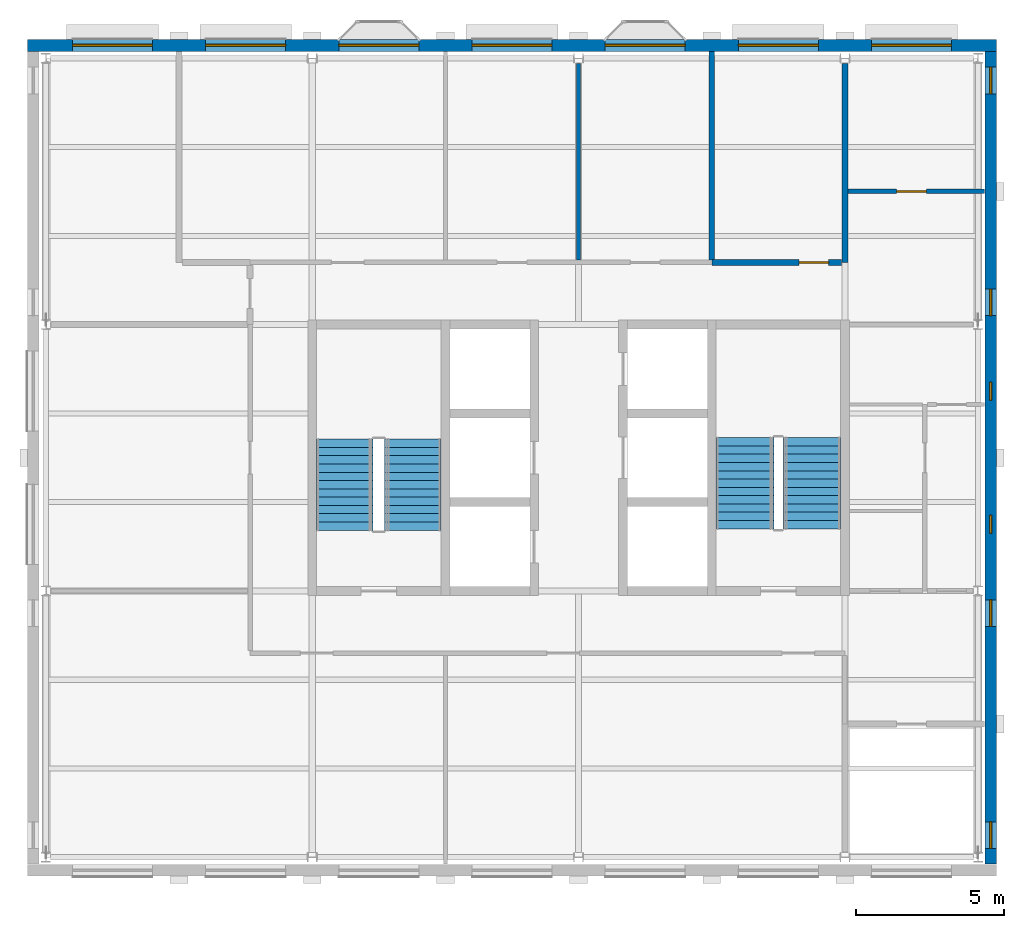
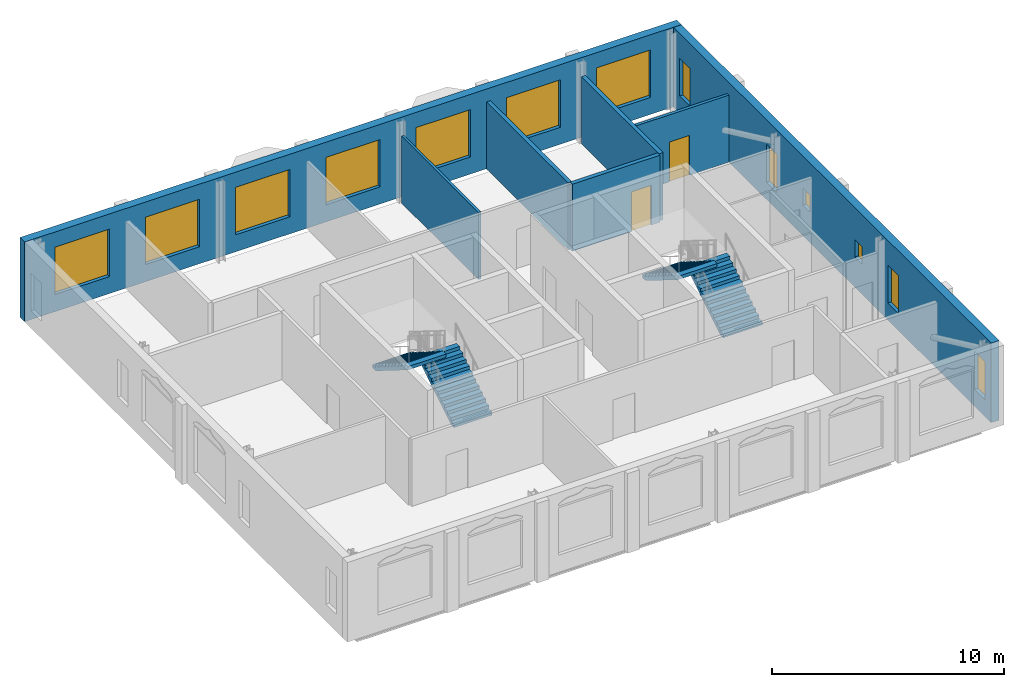
# One storey, part 5 of 9: 13 windows, 7 walls, 4 stair flights, 2 doors, 15 openings, 2 elements without a shape of their own.
"""IFC4 building model written with IfcOpenShell, lengths in metres."""

from ifc_helpers import new_model, si_unit, direction, frame, frame_2d, origin, place, context, subcontext, project, spatial, polyline, rectangle, outline, extrude, material, layer, layer_set, type_object, element, fill, aggregate, save


model = new_model("IFC4")

# Units and contexts
model_context = context("Model", 3, precision=1e-05, world=origin(), true_north=direction((0.0, 1.0)))
body_context = subcontext(model_context, "Body", "Model", "MODEL_VIEW")
ifc_project = project(units=[si_unit("LENGTHUNIT", "METRE"), si_unit("AREAUNIT", "SQUARE_METRE"), si_unit("VOLUMEUNIT", "CUBIC_METRE"), si_unit("PLANEANGLEUNIT", "RADIAN"), si_unit("MASSUNIT", "GRAM", prefix="KILO")], contexts=[model_context])

# Site, building, storey
site_placement = place(None, origin())
site = spatial("IfcSite", under=ifc_project, at=site_placement, CompositionType="ELEMENT")
building_placement = place(site_placement, origin())
building = spatial("IfcBuilding", under=site, at=building_placement, Name="Hortulan Conservatory and Botanical Research Centre", CompositionType="ELEMENT")
storey_placement = place(building_placement, frame((0.0, 0.0, 36.0)))
storey = spatial("IfcBuildingStorey", under=building, at=storey_placement, Name="L08", CompositionType="ELEMENT", Elevation=36.0)

# Walls
ifc_material_1 = material(Name="Fire-rated plasterboard on steel studs", Category="steel")
ifc_layer_1 = layer(ifc_material_1, 0.199951171875)
ifc_layer_set_1 = layer_set([ifc_layer_1], Name="Compartment Partition 200")
wall_type_1 = type_object("IfcWallType", Name="Compartment Partition 200", PredefinedType="PARTITIONING", material=ifc_layer_set_1)
wall_1_placement = place(storey_placement, frame((22.5, 20.18505859375, 0.0), z_axis=(0.0, 0.0, 1.0), x_axis=(0.0, 1.0, 0.0)))
element("IfcWall", 1, at=wall_1_placement, inside=storey, type_object=wall_type_1, Name="Store wall", PredefinedType="PARTITIONING", context=body_context, shape_type="SweptSolid", body=[
    extrude(rectangle(XDim=7.041015625, YDim=0.199951171875, at=frame_2d((3.5205078125, 0.0))), origin(), (0.0, 0.0, 1.0), 3.537109375),
])
wall_2_placement = place(storey_placement, frame((27.0, 20.10009765625, 0.0), z_axis=(0.0, 0.0, 1.0), x_axis=(0.0, 1.0, 0.0)))
element("IfcWall", 2, at=wall_2_placement, inside=storey, type_object=wall_type_1, Name="Store wall", PredefinedType="PARTITIONING", context=body_context, shape_type="SweptSolid", body=[
    extrude(rectangle(XDim=6.726318359375, YDim=0.199951171875, at=frame_2d((3.36328125, 0.0))), origin(), (0.0, 0.0, 1.0), 3.537109375),
])

# Wall, opening, door
wall_3_placement = place(storey_placement, frame((22.510009765625, 20.10009765625, 0.0), z_axis=(0.0, 0.0, 1.0), x_axis=(1.0, 0.0, 0.0)))
wall_3 = element("IfcWall", 3, at=wall_3_placement, inside=storey, type_object=wall_type_1, Name="Store wall", PredefinedType="PARTITIONING", context=body_context, shape_type="SweptSolid", body=[
    extrude(rectangle(XDim=4.3798828125, YDim=0.199951171875, at=frame_2d((2.18994140625, 0.0))), origin(), (0.0, 0.0, 1.0), 3.537109375),
])
opening_1_placement = place(wall_3_placement, frame((2.93994140625, 0.0, 0.0)))
opening_1 = element("IfcOpeningElement", 4, at=opening_1_placement, cuts=wall_3, Name="Opening DT6", PredefinedType="OPENING", context=body_context, shape_type="SweptSolid", body=[
    extrude(rectangle(XDim=1.0, YDim=2.10009765625, at=frame_2d((0.5, 1.050048828125))), frame((0.0, 0.10986328125, 0.0), z_axis=(0.0, -1.0, 0.0), x_axis=(1.0, 0.0, 0.0)), (0.0, 0.0, 1.0), 0.219970703125),
])
ifc_material_2 = material(Name="Steel door leaf, insulated", Category="steel")
door_type_1 = type_object("IfcDoorType", Name="Fire Door 1000x2100 FRL -/120/30", OperationType="NOTDEFINED", PredefinedType="DOOR", material=ifc_material_2)
door_1_placement = place(opening_1_placement, origin())
door_1 = element("IfcDoor", 5, at=door_1_placement, inside=storey, type_object=door_type_1, Name="Door DT6 Cold Room", OperationType="SINGLE_SWING_RIGHT", OverallHeight=2.10009765625, OverallWidth=1.0, PredefinedType="DOOR", context=body_context, shape_type="SweptSolid", body=[
    extrude(rectangle(XDim=1.0, YDim=2.10009765625, at=frame_2d((0.5, 1.050048828125))), frame((0.0, 0.02490234375, 0.0), z_axis=(0.0, -1.0, 0.0), x_axis=(1.0, 0.0, 0.0)), (0.0, 0.0, 1.0), 0.050048828125),
])
fill(opening_1, door_1)

ifc_material_3 = material(Name="Plasterboard on steel studs", Category="steel")
ifc_layer_2 = layer(ifc_material_3, 0.14990234375)
ifc_layer_set_2 = layer_set([ifc_layer_2], Name="Corridor Partition 150")
wall_type_2 = type_object("IfcWallType", Name="Corridor Partition 150", PredefinedType="PARTITIONING", material=ifc_layer_set_2)
wall_4_placement = place(storey_placement, frame((27.110107421875, 22.5, 0.0), z_axis=(0.0, 0.0, 1.0), x_axis=(1.0, 0.0, 0.0)))
wall_4 = element("IfcWall", 6, at=wall_4_placement, inside=storey, type_object=wall_type_2, Name="Corridor partition", PredefinedType="PARTITIONING", context=body_context, shape_type="SweptSolid", body=[
    extrude(rectangle(XDim=4.60498046875, YDim=0.14990234375, at=frame_2d((2.302490234375, 0.0))), origin(), (0.0, 0.0, 1.0), 3.537109375),
])
opening_2_placement = place(wall_4_placement, frame((1.639892578125, 0.0, 0.0)))
opening_2 = element("IfcOpeningElement", 7, at=opening_2_placement, cuts=wall_4, Name="Opening DT1", PredefinedType="OPENING", context=body_context, shape_type="SweptSolid", body=[
    extrude(rectangle(XDim=1.0, YDim=2.10009765625, at=frame_2d((0.5, 1.050048828125))), frame((0.0, 0.0849609375, 0.0), z_axis=(0.0, -1.0, 0.0), x_axis=(1.0, 0.0, 0.0)), (0.0, 0.0, 1.0), 0.169921875),
])
ifc_material_4 = material(Name="Timber door leaf in timber frame", Category="wood")
door_type_2 = type_object("IfcDoorType", Name="Single Door 1000x2100", OperationType="NOTDEFINED", PredefinedType="DOOR", material=ifc_material_4)
door_2_placement = place(opening_2_placement, origin())
door_2 = element("IfcDoor", 8, at=door_2_placement, inside=storey, type_object=door_type_2, Name="Door DT1 Staff Meeting Room", OperationType="SINGLE_SWING_RIGHT", OverallHeight=2.10009765625, OverallWidth=1.0, PredefinedType="DOOR", context=body_context, shape_type="SweptSolid", body=[
    extrude(rectangle(XDim=1.0, YDim=2.10009765625, at=frame_2d((0.5, 1.050048828125))), frame((0.0, 0.02490234375, 0.0), z_axis=(0.0, -1.0, 0.0), x_axis=(1.0, 0.0, 0.0)), (0.0, 0.0, 1.0), 0.050048828125),
])
fill(opening_2, door_2)

# Wall, openings, windows
ifc_material_5 = material(Name="Faience-faced brickwork masonry", Category="masonry")
ifc_layer_3 = layer(ifc_material_5, 0.39990234375)
ifc_layer_set_3 = layer_set([ifc_layer_3], Name="Faience-faced Masonry Cavity Wall 400")
wall_type_3 = type_object("IfcWallType", Name="Faience-faced Masonry Cavity Wall 400", PredefinedType="STANDARD", material=ifc_layer_set_3)
wall_5_placement = place(storey_placement, frame((-0.625, 27.43603515625, 0.0), z_axis=(0.0, 0.0, 1.0), x_axis=(1.0, 0.0, 0.0)))
wall_5 = element("IfcWall", 9, at=wall_5_placement, inside=storey, type_object=wall_type_3, Name="E-EW-TW-L08-N3", PredefinedType="STANDARD", context=body_context, shape_type="SweptSolid", body=[
    extrude(rectangle(XDim=32.75, YDim=0.39990234375, at=frame_2d((16.375, 0.0))), origin(), (0.0, 0.0, 1.0), 4.199951171875),
])
opening_3_placement = place(wall_5_placement, frame((1.52490234375, 0.0, 0.89990234375)))
opening_3 = element("IfcOpeningElement", 10, at=opening_3_placement, cuts=wall_5, Name="Opening W4", PredefinedType="OPENING", context=body_context, shape_type="SweptSolid", body=[
    extrude(rectangle(XDim=2.699951171875, YDim=2.5, at=frame_2d((1.35009765625, 1.25))), frame((0.0, 0.2099609375, 0.0), z_axis=(0.0, -1.0, 0.0), x_axis=(1.0, 0.0, 0.0)), (0.0, 0.0, 1.0), 0.419921875),
])
opening_4_placement = place(wall_5_placement, frame((6.02490234375, 0.0, 0.89990234375)))
opening_4 = element("IfcOpeningElement", 11, at=opening_4_placement, cuts=wall_5, Name="Opening W4", PredefinedType="OPENING", context=body_context, shape_type="SweptSolid", body=[
    extrude(rectangle(XDim=2.699951171875, YDim=2.5, at=frame_2d((1.35009765625, 1.25))), frame((0.0, 0.2099609375, 0.0), z_axis=(0.0, -1.0, 0.0), x_axis=(1.0, 0.0, 0.0)), (0.0, 0.0, 1.0), 0.419921875),
])
opening_5_placement = place(wall_5_placement, frame((10.52490234375, 0.0, 0.89990234375)))
opening_5 = element("IfcOpeningElement", 12, at=opening_5_placement, cuts=wall_5, Name="Opening W4", PredefinedType="OPENING", context=body_context, shape_type="SweptSolid", body=[
    extrude(rectangle(XDim=2.699951171875, YDim=2.5, at=frame_2d((1.35009765625, 1.25))), frame((0.0, 0.2099609375, 0.0), z_axis=(0.0, -1.0, 0.0), x_axis=(1.0, 0.0, 0.0)), (0.0, 0.0, 1.0), 0.419921875),
])
opening_6_placement = place(wall_5_placement, frame((15.02490234375, 0.0, 0.89990234375)))
opening_6 = element("IfcOpeningElement", 13, at=opening_6_placement, cuts=wall_5, Name="Opening W4", PredefinedType="OPENING", context=body_context, shape_type="SweptSolid", body=[
    extrude(rectangle(XDim=2.699951171875, YDim=2.5, at=frame_2d((1.35009765625, 1.25))), frame((0.0, 0.2099609375, 0.0), z_axis=(0.0, -1.0, 0.0), x_axis=(1.0, 0.0, 0.0)), (0.0, 0.0, 1.0), 0.419921875),
])
opening_7_placement = place(wall_5_placement, frame((19.52490234375, 0.0, 0.89990234375)))
opening_7 = element("IfcOpeningElement", 14, at=opening_7_placement, cuts=wall_5, Name="Opening W4", PredefinedType="OPENING", context=body_context, shape_type="SweptSolid", body=[
    extrude(rectangle(XDim=2.699951171875, YDim=2.5, at=frame_2d((1.35009765625, 1.25))), frame((0.0, 0.2099609375, 0.0), z_axis=(0.0, -1.0, 0.0), x_axis=(1.0, 0.0, 0.0)), (0.0, 0.0, 1.0), 0.419921875),
])
opening_8_placement = place(wall_5_placement, frame((24.02490234375, 0.0, 0.89990234375)))
opening_8 = element("IfcOpeningElement", 15, at=opening_8_placement, cuts=wall_5, Name="Opening W4", PredefinedType="OPENING", context=body_context, shape_type="SweptSolid", body=[
    extrude(rectangle(XDim=2.699951171875, YDim=2.5, at=frame_2d((1.35009765625, 1.25))), frame((0.0, 0.2099609375, 0.0), z_axis=(0.0, -1.0, 0.0), x_axis=(1.0, 0.0, 0.0)), (0.0, 0.0, 1.0), 0.419921875),
])
opening_9_placement = place(wall_5_placement, frame((28.52490234375, 0.0, 0.89990234375)))
opening_9 = element("IfcOpeningElement", 16, at=opening_9_placement, cuts=wall_5, Name="Opening W4", PredefinedType="OPENING", context=body_context, shape_type="SweptSolid", body=[
    extrude(rectangle(XDim=2.699951171875, YDim=2.5, at=frame_2d((1.35009765625, 1.25))), frame((0.0, 0.2099609375, 0.0), z_axis=(0.0, -1.0, 0.0), x_axis=(1.0, 0.0, 0.0)), (0.0, 0.0, 1.0), 0.419921875),
])
ifc_material_6 = material(Name="Bronze-finished aluminium frame with low-e laminated double glazing", Category="aluminium")
window_type_1 = type_object("IfcWindowType", Name="Faience Window 2700x2500", PartitioningType="SINGLE_PANEL", PredefinedType="WINDOW", material=ifc_material_6)
window_1_placement = place(opening_3_placement, origin())
window_1 = element("IfcWindow", 17, at=window_1_placement, inside=storey, type_object=window_type_1, Name="Faience window", OverallHeight=2.5, OverallWidth=2.699951171875, PartitioningType="SINGLE_PANEL", PredefinedType="WINDOW", context=body_context, shape_type="SweptSolid", body=[
    extrude(rectangle(XDim=2.699951171875, YDim=2.5, at=frame_2d((1.35009765625, 1.25))), frame((0.0, 0.030029296875, 0.0), z_axis=(0.0, -1.0, 0.0), x_axis=(1.0, 0.0, 0.0)), (0.0, 0.0, 1.0), 0.06005859375),
])
fill(opening_3, window_1)
window_2_placement = place(opening_4_placement, origin())
window_2 = element("IfcWindow", 18, at=window_2_placement, inside=storey, type_object=window_type_1, Name="Faience window", OverallHeight=2.5, OverallWidth=2.699951171875, PartitioningType="SINGLE_PANEL", PredefinedType="WINDOW", context=body_context, shape_type="SweptSolid", body=[
    extrude(rectangle(XDim=2.699951171875, YDim=2.5, at=frame_2d((1.35009765625, 1.25))), frame((0.0, 0.030029296875, 0.0), z_axis=(0.0, -1.0, 0.0), x_axis=(1.0, 0.0, 0.0)), (0.0, 0.0, 1.0), 0.06005859375),
])
fill(opening_4, window_2)
window_3_placement = place(opening_5_placement, origin())
window_3 = element("IfcWindow", 19, at=window_3_placement, inside=storey, type_object=window_type_1, Name="Faience window", OverallHeight=2.5, OverallWidth=2.699951171875, PartitioningType="SINGLE_PANEL", PredefinedType="WINDOW", context=body_context, shape_type="SweptSolid", body=[
    extrude(rectangle(XDim=2.699951171875, YDim=2.5, at=frame_2d((1.35009765625, 1.25))), frame((0.0, 0.030029296875, 0.0), z_axis=(0.0, -1.0, 0.0), x_axis=(1.0, 0.0, 0.0)), (0.0, 0.0, 1.0), 0.06005859375),
])
fill(opening_5, window_3)
window_4_placement = place(opening_6_placement, origin())
window_4 = element("IfcWindow", 20, at=window_4_placement, inside=storey, type_object=window_type_1, Name="Faience window", OverallHeight=2.5, OverallWidth=2.699951171875, PartitioningType="SINGLE_PANEL", PredefinedType="WINDOW", context=body_context, shape_type="SweptSolid", body=[
    extrude(rectangle(XDim=2.699951171875, YDim=2.5, at=frame_2d((1.35009765625, 1.25))), frame((0.0, 0.030029296875, 0.0), z_axis=(0.0, -1.0, 0.0), x_axis=(1.0, 0.0, 0.0)), (0.0, 0.0, 1.0), 0.06005859375),
])
fill(opening_6, window_4)
window_5_placement = place(opening_7_placement, origin())
window_5 = element("IfcWindow", 21, at=window_5_placement, inside=storey, type_object=window_type_1, Name="Faience window", OverallHeight=2.5, OverallWidth=2.699951171875, PartitioningType="SINGLE_PANEL", PredefinedType="WINDOW", context=body_context, shape_type="SweptSolid", body=[
    extrude(rectangle(XDim=2.699951171875, YDim=2.5, at=frame_2d((1.35009765625, 1.25))), frame((0.0, 0.030029296875, 0.0), z_axis=(0.0, -1.0, 0.0), x_axis=(1.0, 0.0, 0.0)), (0.0, 0.0, 1.0), 0.06005859375),
])
fill(opening_7, window_5)
window_6_placement = place(opening_8_placement, origin())
window_6 = element("IfcWindow", 22, at=window_6_placement, inside=storey, type_object=window_type_1, Name="Faience window", OverallHeight=2.5, OverallWidth=2.699951171875, PartitioningType="SINGLE_PANEL", PredefinedType="WINDOW", context=body_context, shape_type="SweptSolid", body=[
    extrude(rectangle(XDim=2.699951171875, YDim=2.5, at=frame_2d((1.35009765625, 1.25))), frame((0.0, 0.030029296875, 0.0), z_axis=(0.0, -1.0, 0.0), x_axis=(1.0, 0.0, 0.0)), (0.0, 0.0, 1.0), 0.06005859375),
])
fill(opening_8, window_6)
window_7_placement = place(opening_9_placement, origin())
window_7 = element("IfcWindow", 23, at=window_7_placement, inside=storey, type_object=window_type_1, Name="Faience window", OverallHeight=2.5, OverallWidth=2.699951171875, PartitioningType="SINGLE_PANEL", PredefinedType="WINDOW", context=body_context, shape_type="SweptSolid", body=[
    extrude(rectangle(XDim=2.699951171875, YDim=2.5, at=frame_2d((1.35009765625, 1.25))), frame((0.0, 0.030029296875, 0.0), z_axis=(0.0, -1.0, 0.0), x_axis=(1.0, 0.0, 0.0)), (0.0, 0.0, 1.0), 0.06005859375),
])
fill(opening_9, window_7)

wall_6_placement = place(storey_placement, frame((31.925048828125, 27.22509765625, 0.0), z_axis=(0.0, 0.0, 1.0), x_axis=(0.0, -1.0, 0.0)))
wall_6 = element("IfcWall", 24, at=wall_6_placement, inside=storey, type_object=wall_type_3, Name="E-EW-TW-L08-E4", PredefinedType="STANDARD", context=body_context, shape_type="SweptSolid", body=[
    extrude(rectangle(XDim=27.4501953125, YDim=0.39990234375, at=frame_2d((13.72509765625, 0.0))), origin(), (0.0, 0.0, 1.0), 4.199951171875),
])
opening_10_placement = place(wall_6_placement, frame((26.02490234375, 0.0, 0.89990234375)))
opening_10 = element("IfcOpeningElement", 25, at=opening_10_placement, cuts=wall_6, Name="Opening W5", PredefinedType="OPENING", context=body_context, shape_type="SweptSolid", body=[
    extrude(rectangle(XDim=0.89990234375, YDim=2.0, at=frame_2d((0.449951171875, 1.0))), frame((0.0, 0.2099609375, 0.0), z_axis=(0.0, -1.0, 0.0), x_axis=(1.0, 0.0, 0.0)), (0.0, 0.0, 1.0), 0.419921875),
])
opening_11_placement = place(wall_6_placement, frame((18.52490234375, 0.0, 0.89990234375)))
opening_11 = element("IfcOpeningElement", 26, at=opening_11_placement, cuts=wall_6, Name="Opening W5", PredefinedType="OPENING", context=body_context, shape_type="SweptSolid", body=[
    extrude(rectangle(XDim=0.89990234375, YDim=2.0, at=frame_2d((0.449951171875, 1.0))), frame((0.0, 0.2099609375, 0.0), z_axis=(0.0, -1.0, 0.0), x_axis=(1.0, 0.0, 0.0)), (0.0, 0.0, 1.0), 0.419921875),
])
opening_12_placement = place(wall_6_placement, frame((15.675048828125, 0.0, 1.60009765625)))
opening_12 = element("IfcOpeningElement", 27, at=opening_12_placement, cuts=wall_6, Name="Opening W3", PredefinedType="OPENING", context=body_context, shape_type="SweptSolid", body=[
    extrude(rectangle(XDim=0.60009765625, YDim=0.89990234375, at=frame_2d((0.300048828125, 0.449951171875))), frame((0.0, 0.2099609375, 0.0), z_axis=(0.0, -1.0, 0.0), x_axis=(1.0, 0.0, 0.0)), (0.0, 0.0, 1.0), 0.419921875),
])
opening_13_placement = place(wall_6_placement, frame((11.175048828125, 0.0, 1.60009765625)))
opening_13 = element("IfcOpeningElement", 28, at=opening_13_placement, cuts=wall_6, Name="Opening W3", PredefinedType="OPENING", context=body_context, shape_type="SweptSolid", body=[
    extrude(rectangle(XDim=0.60009765625, YDim=0.89990234375, at=frame_2d((0.300048828125, 0.449951171875))), frame((0.0, 0.2099609375, 0.0), z_axis=(0.0, -1.0, 0.0), x_axis=(1.0, 0.0, 0.0)), (0.0, 0.0, 1.0), 0.419921875),
])
opening_14_placement = place(wall_6_placement, frame((8.02490234375, 0.0, 0.89990234375)))
opening_14 = element("IfcOpeningElement", 29, at=opening_14_placement, cuts=wall_6, Name="Opening W5", PredefinedType="OPENING", context=body_context, shape_type="SweptSolid", body=[
    extrude(rectangle(XDim=0.89990234375, YDim=2.0, at=frame_2d((0.449951171875, 1.0))), frame((0.0, 0.2099609375, 0.0), z_axis=(0.0, -1.0, 0.0), x_axis=(1.0, 0.0, 0.0)), (0.0, 0.0, 1.0), 0.419921875),
])
opening_15_placement = place(wall_6_placement, frame((0.52490234375, 0.0, 0.89990234375)))
opening_15 = element("IfcOpeningElement", 30, at=opening_15_placement, cuts=wall_6, Name="Opening W5", PredefinedType="OPENING", context=body_context, shape_type="SweptSolid", body=[
    extrude(rectangle(XDim=0.89990234375, YDim=2.0, at=frame_2d((0.449951171875, 1.0))), frame((0.0, 0.2099609375, 0.0), z_axis=(0.0, -1.0, 0.0), x_axis=(1.0, 0.0, 0.0)), (0.0, 0.0, 1.0), 0.419921875),
])
window_type_2 = type_object("IfcWindowType", Name="Faience Pier Window 900x2000", PartitioningType="SINGLE_PANEL", PredefinedType="WINDOW", material=ifc_material_6)
window_8_placement = place(opening_10_placement, origin())
window_8 = element("IfcWindow", 31, at=window_8_placement, inside=storey, type_object=window_type_2, Name="Faience Pier window", OverallHeight=2.0, OverallWidth=0.89990234375, PartitioningType="SINGLE_PANEL", PredefinedType="WINDOW", context=body_context, shape_type="SweptSolid", body=[
    extrude(rectangle(XDim=0.89990234375, YDim=2.0, at=frame_2d((0.449951171875, 1.0))), frame((0.0, 0.030029296875, 0.0), z_axis=(0.0, -1.0, 0.0), x_axis=(1.0, 0.0, 0.0)), (0.0, 0.0, 1.0), 0.06005859375),
])
fill(opening_10, window_8)
window_9_placement = place(opening_11_placement, origin())
window_9 = element("IfcWindow", 32, at=window_9_placement, inside=storey, type_object=window_type_2, Name="Faience Pier window", OverallHeight=2.0, OverallWidth=0.89990234375, PartitioningType="SINGLE_PANEL", PredefinedType="WINDOW", context=body_context, shape_type="SweptSolid", body=[
    extrude(rectangle(XDim=0.89990234375, YDim=2.0, at=frame_2d((0.449951171875, 1.0))), frame((0.0, 0.030029296875, 0.0), z_axis=(0.0, -1.0, 0.0), x_axis=(1.0, 0.0, 0.0)), (0.0, 0.0, 1.0), 0.06005859375),
])
fill(opening_11, window_9)
window_10_placement = place(opening_14_placement, origin())
window_10 = element("IfcWindow", 33, at=window_10_placement, inside=storey, type_object=window_type_2, Name="Faience Pier window", OverallHeight=2.0, OverallWidth=0.89990234375, PartitioningType="SINGLE_PANEL", PredefinedType="WINDOW", context=body_context, shape_type="SweptSolid", body=[
    extrude(rectangle(XDim=0.89990234375, YDim=2.0, at=frame_2d((0.449951171875, 1.0))), frame((0.0, 0.030029296875, 0.0), z_axis=(0.0, -1.0, 0.0), x_axis=(1.0, 0.0, 0.0)), (0.0, 0.0, 1.0), 0.06005859375),
])
fill(opening_14, window_10)
window_11_placement = place(opening_15_placement, origin())
window_11 = element("IfcWindow", 34, at=window_11_placement, inside=storey, type_object=window_type_2, Name="Faience Pier window", OverallHeight=2.0, OverallWidth=0.89990234375, PartitioningType="SINGLE_PANEL", PredefinedType="WINDOW", context=body_context, shape_type="SweptSolid", body=[
    extrude(rectangle(XDim=0.89990234375, YDim=2.0, at=frame_2d((0.449951171875, 1.0))), frame((0.0, 0.030029296875, 0.0), z_axis=(0.0, -1.0, 0.0), x_axis=(1.0, 0.0, 0.0)), (0.0, 0.0, 1.0), 0.06005859375),
])
fill(opening_15, window_11)
window_type_3 = type_object("IfcWindowType", Name="Slot Window 600x900", PartitioningType="SINGLE_PANEL", PredefinedType="WINDOW", material=ifc_material_6)
window_12_placement = place(opening_12_placement, origin())
window_12 = element("IfcWindow", 35, at=window_12_placement, inside=storey, type_object=window_type_3, Name="Slot window", OverallHeight=0.89990234375, OverallWidth=0.60009765625, PartitioningType="SINGLE_PANEL", PredefinedType="WINDOW", context=body_context, shape_type="SweptSolid", body=[
    extrude(rectangle(XDim=0.60009765625, YDim=0.89990234375, at=frame_2d((0.300048828125, 0.449951171875))), frame((0.0, 0.030029296875, 0.0), z_axis=(0.0, -1.0, 0.0), x_axis=(1.0, 0.0, 0.0)), (0.0, 0.0, 1.0), 0.06005859375),
])
fill(opening_12, window_12)
window_13_placement = place(opening_13_placement, origin())
window_13 = element("IfcWindow", 36, at=window_13_placement, inside=storey, type_object=window_type_3, Name="Slot window", OverallHeight=0.89990234375, OverallWidth=0.60009765625, PartitioningType="SINGLE_PANEL", PredefinedType="WINDOW", context=body_context, shape_type="SweptSolid", body=[
    extrude(rectangle(XDim=0.60009765625, YDim=0.89990234375, at=frame_2d((0.300048828125, 0.449951171875))), frame((0.0, 0.030029296875, 0.0), z_axis=(0.0, -1.0, 0.0), x_axis=(1.0, 0.0, 0.0)), (0.0, 0.0, 1.0), 0.06005859375),
])
fill(opening_13, window_13)

# Wall
ifc_layer_4 = layer(ifc_material_3, 0.125)
ifc_layer_set_4 = layer_set([ifc_layer_4], Name="Partition 125")
wall_type_4 = type_object("IfcWallType", Name="Partition 125", PredefinedType="PARTITIONING", material=ifc_layer_set_4)
wall_7_placement = place(storey_placement, frame((18.0, 20.18505859375, 0.0), z_axis=(0.0, 0.0, 1.0), x_axis=(0.0, 1.0, 0.0)))
element("IfcWall", 37, at=wall_7_placement, inside=storey, type_object=wall_type_4, Name="Partition", PredefinedType="PARTITIONING", context=body_context, shape_type="SweptSolid", body=[
    extrude(rectangle(XDim=6.641357421875, YDim=0.125, at=frame_2d((3.32080078125, 0.0))), origin(), (0.0, 0.0, 1.0), 3.537109375),
])

# Stair, stair flights
ifc_material_7 = material(Name="Concrete N40 (40 MPa, AS 3600)", Category="concrete")
stair_type_1 = type_object("IfcStairType", Name="Concrete Escape Stair 1900", PredefinedType="HALF_TURN_STAIR", material=ifc_material_7)
stair_1_placement = place(storey_placement, origin())
stair_1 = element("IfcStair", 38, at=stair_1_placement, inside=storey, type_object=stair_type_1, Name="Stair T1 L08", PredefinedType="HALF_TURN_STAIR")
ifc_layer_5 = layer(ifc_material_7, 0.14990234375)
ifc_layer_set_5 = layer_set([ifc_layer_5], Name="Stair Flight 1900 wide, riser 175")
stair_flight_type_1 = type_object("IfcStairFlightType", Name="Stair Flight 1900 wide, riser 175", PredefinedType="STRAIGHT", material=ifc_layer_set_5)
stair_flight_1_placement = place(storey_placement, frame((12.39990234375, 11.050048828125, 0.0), z_axis=(0.0, 0.0, 1.0), x_axis=(0.0, 1.0, 0.0)))
stair_flight_1 = element("IfcStairFlight", 39, at=stair_flight_1_placement, type_object=stair_flight_type_1, Name="Stair T1 L08 flight 1", NumberOfRisers=12, NumberOfTreads=11, PredefinedType="STRAIGHT", RiserHeight=0.175, TreadLength=0.28, context=body_context, shape_type="SweptSolid", body=[
    extrude(outline(polyline([(0.0, 0.0), (0.0, 0.175048828125), (0.280029296875, 0.175048828125), (0.280029296875, 0.35009765625), (0.56005859375, 0.35009765625), (0.56005859375, 0.52490234375), (0.840087890625, 0.52490234375), (0.840087890625, 0.699951171875), (1.1201171875, 0.699951171875), (1.1201171875, 0.875), (1.39990234375, 0.875), (1.39990234375, 1.050048828125), (1.679931640625, 1.050048828125), (1.679931640625, 1.22509765625), (1.9599609375, 1.22509765625), (1.9599609375, 1.39990234375), (2.239990234375, 1.39990234375), (2.239990234375, 1.574951171875), (2.52001953125, 1.574951171875), (2.52001953125, 1.75), (2.800048828125, 1.75), (2.800048828125, 1.925048828125), (3.080078125, 1.925048828125), (3.080078125, 2.10009765625), (3.080078125, 1.748291015625), (0.28271484375, 0.0), (0.0, 0.0)])), frame((0.0, 0.949951171875, 0.0), z_axis=(0.0, -1.0, 0.0), x_axis=(1.0, 0.0, 0.0)), (0.0, 0.0, 1.0), 1.89990234375),
])
stair_flight_2_placement = place(storey_placement, frame((10.10009765625, 14.1298828125, 2.10009765625), z_axis=(0.0, 0.0, 1.0), x_axis=(0.0, -1.0, 0.0)))
stair_flight_2 = element("IfcStairFlight", 40, at=stair_flight_2_placement, type_object=stair_flight_type_1, Name="Stair T1 L08 flight 2", NumberOfRisers=12, NumberOfTreads=11, PredefinedType="STRAIGHT", RiserHeight=0.175, TreadLength=0.28, context=body_context, shape_type="SweptSolid", body=[
    extrude(outline(polyline([(0.0, 0.0), (0.0, 0.175048828125), (0.280029296875, 0.175048828125), (0.280029296875, 0.35009765625), (0.56005859375, 0.35009765625), (0.56005859375, 0.52490234375), (0.840087890625, 0.52490234375), (0.840087890625, 0.699951171875), (1.1201171875, 0.699951171875), (1.1201171875, 0.875), (1.39990234375, 0.875), (1.39990234375, 1.050048828125), (1.679931640625, 1.050048828125), (1.679931640625, 1.22509765625), (1.9599609375, 1.22509765625), (1.9599609375, 1.39990234375), (2.239990234375, 1.39990234375), (2.239990234375, 1.574951171875), (2.52001953125, 1.574951171875), (2.52001953125, 1.75), (2.800048828125, 1.75), (2.800048828125, 1.925048828125), (3.080078125, 1.925048828125), (3.080078125, 2.10009765625), (3.080078125, 1.748291015625), (0.28271484375, 0.0), (0.0, 0.0)])), frame((0.0, 0.949951171875, 0.0), z_axis=(0.0, -1.0, 0.0), x_axis=(1.0, 0.0, 0.0)), (0.0, 0.0, 1.0), 1.89990234375),
])
aggregate(stair_1, [stair_flight_1, stair_flight_2])

stair_type_2 = type_object("IfcStairType", Name="Concrete Escape Stair 1950", PredefinedType="HALF_TURN_STAIR", material=ifc_material_7)
stair_2_placement = place(storey_placement, origin())
stair_2 = element("IfcStair", 41, at=stair_2_placement, inside=storey, type_object=stair_type_2, Name="Stair T2 L08", PredefinedType="HALF_TURN_STAIR")
ifc_layer_6 = layer(ifc_material_7, 0.14990234375)
ifc_layer_set_6 = layer_set([ifc_layer_6], Name="Stair Flight 1950 wide, riser 175")
stair_flight_type_2 = type_object("IfcStairFlightType", Name="Stair Flight 1950 wide, riser 175", PredefinedType="STRAIGHT", material=ifc_layer_set_6)
stair_flight_3_placement = place(storey_placement, frame((25.875, 11.10009765625, 0.0), z_axis=(0.0, 0.0, 1.0), x_axis=(0.0, 1.0, 0.0)))
stair_flight_3 = element("IfcStairFlight", 42, at=stair_flight_3_placement, type_object=stair_flight_type_2, Name="Stair T2 L08 flight 1", NumberOfRisers=12, NumberOfTreads=11, PredefinedType="STRAIGHT", RiserHeight=0.175, TreadLength=0.28, context=body_context, shape_type="SweptSolid", body=[
    extrude(outline(polyline([(0.0, 0.0), (0.0, 0.175048828125), (0.280029296875, 0.175048828125), (0.280029296875, 0.35009765625), (0.56005859375, 0.35009765625), (0.56005859375, 0.52490234375), (0.840087890625, 0.52490234375), (0.840087890625, 0.699951171875), (1.1201171875, 0.699951171875), (1.1201171875, 0.875), (1.39990234375, 0.875), (1.39990234375, 1.050048828125), (1.679931640625, 1.050048828125), (1.679931640625, 1.22509765625), (1.9599609375, 1.22509765625), (1.9599609375, 1.39990234375), (2.239990234375, 1.39990234375), (2.239990234375, 1.574951171875), (2.52001953125, 1.574951171875), (2.52001953125, 1.75), (2.800048828125, 1.75), (2.800048828125, 1.925048828125), (3.080078125, 1.925048828125), (3.080078125, 2.10009765625), (3.080078125, 1.748291015625), (0.28271484375, 0.0), (0.0, 0.0)])), frame((0.0, 0.97509765625, 0.0), z_axis=(0.0, -1.0, 0.0), x_axis=(1.0, 0.0, 0.0)), (0.0, 0.0, 1.0), 1.949951171875),
])
stair_flight_4_placement = place(storey_placement, frame((23.625, 14.179931640625, 2.10009765625), z_axis=(0.0, 0.0, 1.0), x_axis=(0.0, -1.0, 0.0)))
stair_flight_4 = element("IfcStairFlight", 43, at=stair_flight_4_placement, type_object=stair_flight_type_2, Name="Stair T2 L08 flight 2", NumberOfRisers=12, NumberOfTreads=11, PredefinedType="STRAIGHT", RiserHeight=0.175, TreadLength=0.28, context=body_context, shape_type="SweptSolid", body=[
    extrude(outline(polyline([(0.0, 0.0), (0.0, 0.175048828125), (0.280029296875, 0.175048828125), (0.280029296875, 0.35009765625), (0.56005859375, 0.35009765625), (0.56005859375, 0.52490234375), (0.840087890625, 0.52490234375), (0.840087890625, 0.699951171875), (1.1201171875, 0.699951171875), (1.1201171875, 0.875), (1.39990234375, 0.875), (1.39990234375, 1.050048828125), (1.679931640625, 1.050048828125), (1.679931640625, 1.22509765625), (1.9599609375, 1.22509765625), (1.9599609375, 1.39990234375), (2.239990234375, 1.39990234375), (2.239990234375, 1.574951171875), (2.52001953125, 1.574951171875), (2.52001953125, 1.75), (2.800048828125, 1.75), (2.800048828125, 1.925048828125), (3.080078125, 1.925048828125), (3.080078125, 2.10009765625), (3.080078125, 1.748291015625), (0.28271484375, 0.0), (0.0, 0.0)])), frame((0.0, 0.97509765625, 0.0), z_axis=(0.0, -1.0, 0.0), x_axis=(1.0, 0.0, 0.0)), (0.0, 0.0, 1.0), 1.949951171875),
])
aggregate(stair_2, [stair_flight_3, stair_flight_4])

save(model, "model.ifc")
